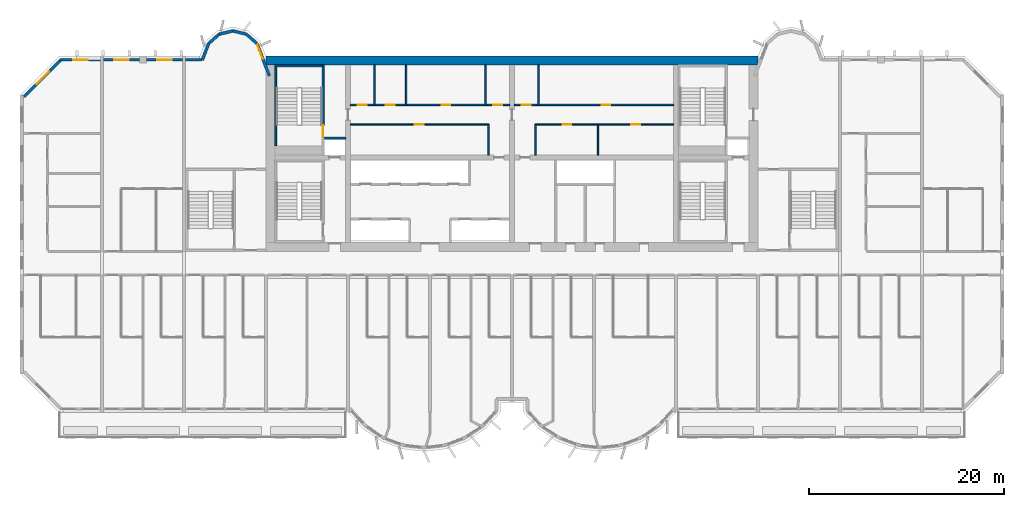
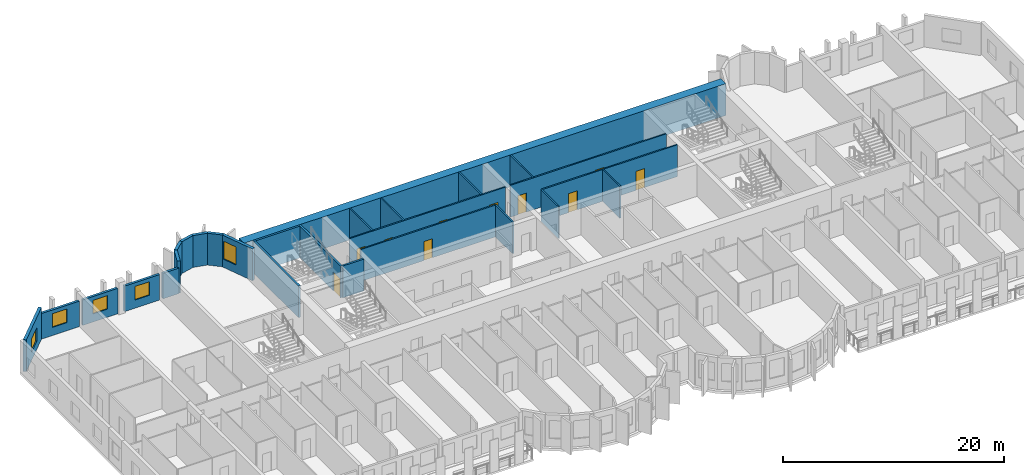
# One storey, part 7 of 14: 27 walls, 10 doors, 5 windows, 15 openings.
"""IFC4 building model written with IfcOpenShell, lengths in metres."""

from ifc_helpers import new_model, si_unit, direction, frame, frame_2d, origin, place, context, subcontext, project, spatial, rectangle, extrude, source, transform, mapped, material, layer, layer_set, type_object, element, fill, save


model = new_model("IFC4")

# Units and contexts
model_context = context("Model", 3, precision=1e-05, world=origin(), true_north=direction((0.0, 1.0)))
body_context = subcontext(model_context, "Body", "Model", "MODEL_VIEW")
ifc_project = project(units=[si_unit("LENGTHUNIT", "METRE"), si_unit("AREAUNIT", "SQUARE_METRE"), si_unit("VOLUMEUNIT", "CUBIC_METRE"), si_unit("PLANEANGLEUNIT", "RADIAN"), si_unit("MASSUNIT", "GRAM", prefix="KILO")], contexts=[model_context])

# Site, building, storey
site_placement = place(None, origin())
site = spatial("IfcSite", under=ifc_project, at=site_placement, CompositionType="ELEMENT")
building_placement = place(site_placement, origin())
building = spatial("IfcBuilding", under=site, at=building_placement, Name="Vanashikhar Sky Hotel", CompositionType="ELEMENT")
storey_placement = place(building_placement, frame((0.0, 0.0, 129.39990234375)))
storey = spatial("IfcBuildingStorey", under=building, at=storey_placement, Name="L31", CompositionType="ELEMENT", Elevation=129.39990234375)

# Wall
ifc_material_1 = material(Name="Concrete M70", Category="concrete")
ifc_layer_1 = layer(ifc_material_1, 0.89990234375)
ifc_layer_set_1 = layer_set([ifc_layer_1], Name="RC core shell wall 900 Concrete M70")
wall_type_1 = type_object("IfcWallType", Name="RC core shell wall 900 Concrete M70", PredefinedType="SHEAR", material=ifc_layer_set_1)
shared_shape_1 = source(origin(), body_context, "Body", "SweptSolid", [
    extrude(rectangle(XDim=50.400146484375, YDim=0.89990234375, at=frame_2d((25.2001953125, 0.0))), origin(), (0.0, 0.0, 1.0), 3.52001953125),
])
wall_1_placement = place(storey_placement, frame((25.199951171875, 41.550048828125, 0.0), z_axis=(0.0, 0.0, 1.0), x_axis=(1.0, 0.0, 0.0)))
element("IfcWall", 1, at=wall_1_placement, inside=storey, type_object=wall_type_1, Name="KW-L31-KN", PredefinedType="SHEAR", context=body_context, shape_type="MappedRepresentation", body=[
    mapped(shared_shape_1, transform((0.0, 0.0, 0.0), scale=1.0)),
])

# Wall, opening, window
ifc_material_2 = material(Name="Concrete M50", Category="concrete")
ifc_layer_2 = layer(ifc_material_2, 0.300048828125)
ifc_layer_set_2 = layer_set([ifc_layer_2], Name="Lobe wall 300")
wall_type_2 = type_object("IfcWallType", Name="Lobe wall 300", PredefinedType="SOLIDWALL", material=ifc_layer_set_2)
shared_shape_2 = source(origin(), body_context, "Body", "SweptSolid", [
    extrude(rectangle(XDim=5.32568359375, YDim=0.300048828125, at=frame_2d((2.662841796875, 0.0))), origin(), (0.0, 0.0, 1.0), 3.52001953125),
])
wall_2_placement = place(storey_placement, frame((4.165771484375, 41.60009765625, 0.0), z_axis=(0.0, 0.0, 1.0), x_axis=(-0.707106781187, -0.707106781187, 0.0)))
wall_2 = element("IfcWall", 2, at=wall_2_placement, inside=storey, type_object=wall_type_2, Name="Corner wall", PredefinedType="SOLIDWALL", context=body_context, shape_type="MappedRepresentation", body=[
    mapped(shared_shape_2, transform((0.0, 0.0, 0.0), scale=1.0)),
])
shared_shape_3 = source(origin(), body_context, "Body", "SweptSolid", [
    extrude(rectangle(XDim=1.800048828125, YDim=1.5, at=frame_2d((0.89990234375, 0.75))), frame((0.0, 0.16015625, 0.0), z_axis=(0.0, -1.0, 0.0), x_axis=(1.0, 0.0, 0.0)), (0.0, 0.0, 1.0), 0.320068359375),
])
opening_1_placement = place(wall_2_placement, frame((1.671875, 0.0, 0.89990234375)))
opening_1 = element("IfcOpeningElement", 3, at=opening_1_placement, cuts=wall_2, Name="Opening WN-4", PredefinedType="OPENING", context=body_context, shape_type="MappedRepresentation", body=[
    mapped(shared_shape_3, transform((0.0, 0.0, 0.0), scale=1.0)),
])
ifc_material_3 = material(Name="Glass", Category="glass")
window_type_1 = type_object("IfcWindowType", Name="Corner window 1800 x 1500", PartitioningType="SINGLE_PANEL", PredefinedType="WINDOW", material=ifc_material_3)
shared_shape_4 = source(origin(), body_context, "Body", "SweptSolid", [
    extrude(rectangle(XDim=1.800048828125, YDim=1.5, at=frame_2d((0.89990234375, 0.75))), frame((0.0, 0.030029296875, 0.0), z_axis=(0.0, -1.0, 0.0), x_axis=(1.0, 0.0, 0.0)), (0.0, 0.0, 1.0), 0.06005859375),
])
window_1_placement = place(opening_1_placement, origin())
window_1 = element("IfcWindow", 4, at=window_1_placement, inside=storey, type_object=window_type_1, Name="Window WN-4", OverallHeight=1.5, OverallWidth=1.800048828125, PartitioningType="SINGLE_PANEL", PredefinedType="WINDOW", context=body_context, shape_type="MappedRepresentation", body=[
    mapped(shared_shape_4, transform((0.0, 0.0, 0.0), scale=1.0)),
])
fill(opening_1, window_1)

shared_shape_5 = source(origin(), body_context, "Body", "SweptSolid", [
    extrude(rectangle(XDim=3.55908203125, YDim=0.300048828125, at=frame_2d((1.779541015625, 0.0))), origin(), (0.0, 0.0, 1.0), 3.52001953125),
])
wall_3_placement = place(storey_placement, frame((25.550048828125, 39.968505859375, 0.0), z_axis=(0.0, 0.0, 1.0), x_axis=(-0.35779745313, 0.933799219604, 0.0)))
wall_3 = element("IfcWall", 5, at=wall_3_placement, inside=storey, type_object=wall_type_2, Name="Lobe wall", PredefinedType="SOLIDWALL", context=body_context, shape_type="MappedRepresentation", body=[
    mapped(shared_shape_5, transform((0.0, 0.0, 0.0), scale=1.0)),
])
shared_shape_6 = source(origin(), body_context, "Body", "SweptSolid", [
    extrude(rectangle(XDim=1.5, YDim=2.0, at=frame_2d((0.75, 1.0))), frame((0.0, 0.16015625, 0.0), z_axis=(0.0, -1.0, 0.0), x_axis=(1.0, 0.0, 0.0)), (0.0, 0.0, 1.0), 0.320068359375),
])
opening_2_placement = place(wall_3_placement, frame((1.9033203125, 0.0, 0.89990234375)))
opening_2 = element("IfcOpeningElement", 6, at=opening_2_placement, cuts=wall_3, Name="Opening WN-2", PredefinedType="OPENING", context=body_context, shape_type="MappedRepresentation", body=[
    mapped(shared_shape_6, transform((0.0, 0.0, 0.0), scale=1.0)),
])
window_type_2 = type_object("IfcWindowType", Name="Lobe window 1500 x 2000", PartitioningType="SINGLE_PANEL", PredefinedType="WINDOW", material=ifc_material_3)
shared_shape_7 = source(origin(), body_context, "Body", "SweptSolid", [
    extrude(rectangle(XDim=1.5, YDim=2.0, at=frame_2d((0.75, 1.0))), frame((0.0, 0.030029296875, 0.0), z_axis=(0.0, -1.0, 0.0), x_axis=(1.0, 0.0, 0.0)), (0.0, 0.0, 1.0), 0.06005859375),
])
window_2_placement = place(opening_2_placement, origin())
window_2 = element("IfcWindow", 7, at=window_2_placement, inside=storey, type_object=window_type_2, Name="Window WN-2", OverallHeight=2.0, OverallWidth=1.5, PartitioningType="SINGLE_PANEL", PredefinedType="WINDOW", context=body_context, shape_type="MappedRepresentation", body=[
    mapped(shared_shape_7, transform((0.0, 0.0, 0.0), scale=1.0)),
])
fill(opening_2, window_2)

# Walls
shared_shape_8 = source(origin(), body_context, "Body", "SweptSolid", [
    extrude(rectangle(XDim=1.440185546875, YDim=0.300048828125, at=frame_2d((0.72021484375, 0.0))), origin(), (0.0, 0.0, 1.0), 3.52001953125),
])
wall_4_placement = place(storey_placement, frame((24.276611328125, 43.2919921875, 0.0), z_axis=(0.0, 0.0, 1.0), x_axis=(-0.749649827867, 0.661834673902, 0.0)))
element("IfcWall", 8, at=wall_4_placement, inside=storey, type_object=wall_type_2, Name="Lobe wall", PredefinedType="SOLIDWALL", context=body_context, shape_type="MappedRepresentation", body=[
    mapped(shared_shape_8, transform((0.0, 0.0, 0.0), scale=1.0)),
])
shared_shape_9 = source(origin(), body_context, "Body", "SweptSolid", [
    extrude(rectangle(XDim=1.4384765625, YDim=0.300048828125, at=frame_2d((0.71923828125, 0.0))), origin(), (0.0, 0.0, 1.0), 3.52001953125),
])
wall_5_placement = place(storey_placement, frame((23.197021484375, 44.2451171875, 0.0), z_axis=(0.0, 0.0, 1.0), x_axis=(-0.971152283879, 0.238460146601, 0.0)))
element("IfcWall", 9, at=wall_5_placement, inside=storey, type_object=wall_type_2, Name="Lobe wall", PredefinedType="SOLIDWALL", context=body_context, shape_type="MappedRepresentation", body=[
    mapped(shared_shape_9, transform((0.0, 0.0, 0.0), scale=1.0)),
])
shared_shape_10 = source(origin(), body_context, "Body", "SweptSolid", [
    extrude(rectangle(XDim=1.438720703125, YDim=0.300048828125, at=frame_2d((0.71923828125, 0.0))), origin(), (0.0, 0.0, 1.0), 3.52001953125),
])
wall_6_placement = place(storey_placement, frame((21.800048828125, 44.588134765625, 0.0), z_axis=(0.0, 0.0, 1.0), x_axis=(-0.971161932466, -0.238420848351, 0.0)))
element("IfcWall", 10, at=wall_6_placement, inside=storey, type_object=wall_type_2, Name="Lobe wall", PredefinedType="SOLIDWALL", context=body_context, shape_type="MappedRepresentation", body=[
    mapped(shared_shape_10, transform((0.0, 0.0, 0.0), scale=1.0)),
])
shared_shape_11 = source(origin(), body_context, "Body", "SweptSolid", [
    extrude(rectangle(XDim=1.43994140625, YDim=0.300048828125, at=frame_2d((0.719970703125, 0.0))), origin(), (0.0, 0.0, 1.0), 3.52001953125),
])
wall_7_placement = place(storey_placement, frame((20.40283203125, 44.2451171875, 0.0), z_axis=(0.0, 0.0, 1.0), x_axis=(-0.74957555648, -0.661918790432, 0.0)))
element("IfcWall", 11, at=wall_7_placement, inside=storey, type_object=wall_type_2, Name="Lobe wall", PredefinedType="SOLIDWALL", context=body_context, shape_type="MappedRepresentation", body=[
    mapped(shared_shape_11, transform((0.0, 0.0, 0.0), scale=1.0)),
])
shared_shape_12 = source(origin(), body_context, "Body", "SweptSolid", [
    extrude(rectangle(XDim=1.81201171875, YDim=0.300048828125, at=frame_2d((0.906005859375, 0.0))), origin(), (0.0, 0.0, 1.0), 3.52001953125),
])
wall_8_placement = place(storey_placement, frame((19.323486328125, 43.2919921875, 0.0), z_axis=(0.0, 0.0, 1.0), x_axis=(-0.357877270961, -0.93376863244, 0.0)))
element("IfcWall", 12, at=wall_8_placement, inside=storey, type_object=wall_type_2, Name="Lobe wall", PredefinedType="SOLIDWALL", context=body_context, shape_type="MappedRepresentation", body=[
    mapped(shared_shape_12, transform((0.0, 0.0, 0.0), scale=1.0)),
])

# Wall, opening, window
ifc_layer_3 = layer(ifc_material_2, 0.25)
ifc_layer_set_3 = layer_set([ifc_layer_3], Name="Rear and end board-marked wall 250")
wall_type_3 = type_object("IfcWallType", Name="Rear and end board-marked wall 250", PredefinedType="SOLIDWALL", material=ifc_layer_set_3)
shared_shape_13 = source(origin(), body_context, "Body", "SweptSolid", [
    extrude(rectangle(XDim=4.06982421875, YDim=0.25, at=frame_2d((2.034912109375, 0.0))), origin(), (0.0, 0.0, 1.0), 2.820068359375),
])
wall_9_placement = place(storey_placement, frame((8.22509765625, 41.625, 0.0), z_axis=(0.0, 0.0, 1.0), x_axis=(-1.0, 0.0, 0.0)))
wall_9 = element("IfcWall", 13, at=wall_9_placement, inside=storey, type_object=wall_type_3, Name="Rear board-marked wall", PredefinedType="SOLIDWALL", context=body_context, shape_type="MappedRepresentation", body=[
    mapped(shared_shape_13, transform((0.0, 0.0, 0.0), scale=1.0)),
])
shared_shape_14 = source(origin(), body_context, "Body", "SweptSolid", [
    extrude(rectangle(XDim=1.5, YDim=1.5, at=frame_2d((0.75, 0.75))), frame((0.0, 0.135009765625, 0.0), z_axis=(0.0, -1.0, 0.0), x_axis=(1.0, 0.0, 0.0)), (0.0, 0.0, 1.0), 0.27001953125),
])
opening_3_placement = place(wall_9_placement, frame((1.284912109375, 0.0, 0.89990234375)))
opening_3 = element("IfcOpeningElement", 14, at=opening_3_placement, cuts=wall_9, Name="Opening WN-1", PredefinedType="OPENING", context=body_context, shape_type="MappedRepresentation", body=[
    mapped(shared_shape_14, transform((0.0, 0.0, 0.0), scale=1.0)),
])
window_type_3 = type_object("IfcWindowType", Name="Window 1500 x 1500", PartitioningType="SINGLE_PANEL", PredefinedType="WINDOW", material=ifc_material_3)
shared_shape_15 = source(origin(), body_context, "Body", "SweptSolid", [
    extrude(rectangle(XDim=1.5, YDim=1.5, at=frame_2d((0.75, 0.75))), frame((0.0, 0.030029296875, 0.0), z_axis=(0.0, -1.0, 0.0), x_axis=(1.0, 0.0, 0.0)), (0.0, 0.0, 1.0), 0.06005859375),
])
window_3_placement = place(opening_3_placement, origin())
window_3 = element("IfcWindow", 15, at=window_3_placement, inside=storey, type_object=window_type_3, Name="Window WN-1", OverallHeight=1.5, OverallWidth=1.5, PartitioningType="SINGLE_PANEL", PredefinedType="WINDOW", context=body_context, shape_type="MappedRepresentation", body=[
    mapped(shared_shape_15, transform((0.0, 0.0, 0.0), scale=1.0)),
])
fill(opening_3, window_3)

shared_shape_16 = source(origin(), body_context, "Body", "SweptSolid", [
    extrude(rectangle(XDim=3.675048828125, YDim=0.25, at=frame_2d((1.83740234375, 0.0))), origin(), (0.0, 0.0, 1.0), 2.820068359375),
])
wall_10_placement = place(storey_placement, frame((12.25, 41.625, 0.0), z_axis=(0.0, 0.0, 1.0), x_axis=(-1.0, 0.0, 0.0)))
wall_10 = element("IfcWall", 16, at=wall_10_placement, inside=storey, type_object=wall_type_3, Name="Rear board-marked wall", PredefinedType="SOLIDWALL", context=body_context, shape_type="MappedRepresentation", body=[
    mapped(shared_shape_16, transform((0.0, 0.0, 0.0), scale=1.0)),
])
opening_4_placement = place(wall_10_placement, frame((1.08740234375, 0.0, 0.89990234375)))
opening_4 = element("IfcOpeningElement", 17, at=opening_4_placement, cuts=wall_10, Name="Opening WN-1", PredefinedType="OPENING", context=body_context, shape_type="MappedRepresentation", body=[
    mapped(shared_shape_14, transform((0.0, 0.0, 0.0), scale=1.0)),
])
window_4_placement = place(opening_4_placement, origin())
window_4 = element("IfcWindow", 18, at=window_4_placement, inside=storey, type_object=window_type_3, Name="Window WN-1", OverallHeight=1.5, OverallWidth=1.5, PartitioningType="SINGLE_PANEL", PredefinedType="WINDOW", context=body_context, shape_type="MappedRepresentation", body=[
    mapped(shared_shape_15, transform((0.0, 0.0, 0.0), scale=1.0)),
])
fill(opening_4, window_4)

wall_11_placement = place(storey_placement, frame((16.625, 41.625, 0.0), z_axis=(0.0, 0.0, 1.0), x_axis=(-1.0, 0.0, 0.0)))
wall_11 = element("IfcWall", 19, at=wall_11_placement, inside=storey, type_object=wall_type_3, Name="Rear board-marked wall", PredefinedType="SOLIDWALL", context=body_context, shape_type="MappedRepresentation", body=[
    mapped(shared_shape_16, transform((0.0, 0.0, 0.0), scale=1.0)),
])
opening_5_placement = place(wall_11_placement, frame((1.08740234375, 0.0, 0.89990234375)))
opening_5 = element("IfcOpeningElement", 20, at=opening_5_placement, cuts=wall_11, Name="Opening WN-1", PredefinedType="OPENING", context=body_context, shape_type="MappedRepresentation", body=[
    mapped(shared_shape_14, transform((0.0, 0.0, 0.0), scale=1.0)),
])
window_5_placement = place(opening_5_placement, origin())
window_5 = element("IfcWindow", 21, at=window_5_placement, inside=storey, type_object=window_type_3, Name="Window WN-1", OverallHeight=1.5, OverallWidth=1.5, PartitioningType="SINGLE_PANEL", PredefinedType="WINDOW", context=body_context, shape_type="MappedRepresentation", body=[
    mapped(shared_shape_15, transform((0.0, 0.0, 0.0), scale=1.0)),
])
fill(opening_5, window_5)

# Walls
shared_shape_17 = source(origin(), body_context, "Body", "SweptSolid", [
    extrude(rectangle(XDim=1.682861328125, YDim=0.25, at=frame_2d((0.84130859375, 0.0))), origin(), (0.0, 0.0, 1.0), 2.820068359375),
])
wall_12_placement = place(storey_placement, frame((18.657958984375, 41.625, 0.0), z_axis=(0.0, 0.0, 1.0), x_axis=(-1.0, 0.0, 0.0)))
element("IfcWall", 22, at=wall_12_placement, inside=storey, type_object=wall_type_3, Name="Rear board-marked wall", PredefinedType="SOLIDWALL", context=body_context, shape_type="MappedRepresentation", body=[
    mapped(shared_shape_17, transform((0.0, 0.0, 0.0), scale=1.0)),
])
ifc_material_4 = material(Name="Gypsum board partition")
ifc_layer_4 = layer(ifc_material_4, 0.14990234375)
ifc_layer_set_4 = layer_set([ifc_layer_4], Name="Service partition 150")
wall_type_4 = type_object("IfcWallType", Name="Service partition 150", PredefinedType="PARTITIONING", material=ifc_layer_set_4)
shared_shape_18 = source(origin(), body_context, "Body", "SweptSolid", [
    extrude(rectangle(XDim=3.14990234375, YDim=0.14990234375, at=frame_2d((1.574951171875, 0.0))), origin(), (0.0, 0.0, 1.0), 3.52001953125),
])
for number, where, z_axis, x_axis, name in (
    (23, (48.0, 31.85009765625, 0.0), (0.0, 0.0, 1.0), (0.0, 1.0, 0.0), "Service partition 150"),
    (24, (52.800048828125, 31.85009765625, 0.0), (0.0, 0.0, 1.0), (0.0, 1.0, 0.0), "Service partition 150"),
    (25, (59.208984375, 31.85009765625, 0.0), (0.0, 0.0, 1.0), (0.0, 1.0, 0.0), "Service partition 150"),
):
    element("IfcWall", number, at=place(storey_placement, frame(where, z_axis=z_axis, x_axis=x_axis)), inside=storey, type_object=wall_type_4, Name=name, PredefinedType="PARTITIONING", context=body_context, shape_type="MappedRepresentation", body=[
        mapped(shared_shape_18, transform((0.0, 0.0, 0.0), scale=1.0)),
    ])

# Wall, opening, door
shared_shape_19 = source(origin(), body_context, "Body", "SweptSolid", [
    extrude(rectangle(XDim=14.14990234375, YDim=0.14990234375, at=frame_2d((7.074951171875, 0.0))), origin(), (0.0, 0.0, 1.0), 3.52001953125),
])
wall_13_placement = place(storey_placement, frame((33.85009765625, 35.0, 0.0), z_axis=(0.0, 0.0, 1.0), x_axis=(1.0, 0.0, 0.0)))
wall_13 = element("IfcWall", 26, at=wall_13_placement, inside=storey, type_object=wall_type_4, Name="Service partition 150", PredefinedType="PARTITIONING", context=body_context, shape_type="MappedRepresentation", body=[
    mapped(shared_shape_19, transform((0.0, 0.0, 0.0), scale=1.0)),
])
shared_shape_20 = source(origin(), body_context, "Body", "SweptSolid", [
    extrude(rectangle(XDim=0.89990234375, YDim=2.10009765625, at=frame_2d((0.449951171875, 1.050048828125))), frame((0.0, 0.0849609375, 0.0), z_axis=(0.0, -1.0, 0.0), x_axis=(1.0, 0.0, 0.0)), (0.0, 0.0, 1.0), 0.169921875),
])
opening_6_placement = place(wall_13_placement, frame((6.587890625, 0.0, 0.0)))
opening_6 = element("IfcOpeningElement", 27, at=opening_6_placement, cuts=wall_13, Name="Opening DC-4-A", PredefinedType="OPENING", context=body_context, shape_type="MappedRepresentation", body=[
    mapped(shared_shape_20, transform((0.0, 0.0, 0.0), scale=1.0)),
])
ifc_material_5 = material(Name="Steel", Category="steel")
door_type_1 = type_object("IfcDoorType", Name="Service door 900 FD60", OperationType="NOTDEFINED", PredefinedType="DOOR", material=ifc_material_5)
shared_shape_21 = source(origin(), body_context, "Body", "SweptSolid", [
    extrude(rectangle(XDim=0.89990234375, YDim=2.10009765625, at=frame_2d((0.449951171875, 1.050048828125))), frame((0.0, 0.02490234375, 0.0), z_axis=(0.0, -1.0, 0.0), x_axis=(1.0, 0.0, 0.0)), (0.0, 0.0, 1.0), 0.050048828125),
])
door_1_placement = place(opening_6_placement, origin())
door_1 = element("IfcDoor", 28, at=door_1_placement, inside=storey, type_object=door_type_1, Name="Service door 900 FD60", OperationType="SINGLE_SWING_RIGHT", OverallHeight=2.10009765625, OverallWidth=0.89990234375, PredefinedType="DOOR", context=body_context, shape_type="MappedRepresentation", body=[
    mapped(shared_shape_21, transform((0.0, 0.0, 0.0), scale=1.0)),
])
fill(opening_6, door_1)

# Wall, openings, doors
wall_14_placement = place(storey_placement, frame((66.949951171875, 35.0, 0.0), z_axis=(0.0, 0.0, 1.0), x_axis=(-1.0, 0.0, 0.0)))
wall_14 = element("IfcWall", 29, at=wall_14_placement, inside=storey, type_object=wall_type_4, Name="Service partition 150", PredefinedType="PARTITIONING", context=body_context, shape_type="MappedRepresentation", body=[
    mapped(shared_shape_19, transform((0.0, 0.0, 0.0), scale=1.0)),
])
opening_7_placement = place(wall_14_placement, frame((3.4208984375, 0.0, 0.0)))
opening_7 = element("IfcOpeningElement", 30, at=opening_7_placement, cuts=wall_14, Name="Opening DC-4-A", PredefinedType="OPENING", context=body_context, shape_type="MappedRepresentation", body=[
    mapped(shared_shape_20, transform((0.0, 0.0, 0.0), scale=1.0)),
])
opening_8_placement = place(wall_14_placement, frame((10.4580078125, 0.0, 0.0)))
opening_8 = element("IfcOpeningElement", 31, at=opening_8_placement, cuts=wall_14, Name="Opening DC-4-A", PredefinedType="OPENING", context=body_context, shape_type="MappedRepresentation", body=[
    mapped(shared_shape_20, transform((0.0, 0.0, 0.0), scale=1.0)),
])
door_2_placement = place(opening_7_placement, origin())
door_2 = element("IfcDoor", 32, at=door_2_placement, inside=storey, type_object=door_type_1, Name="Service door 900 FD60", OperationType="SINGLE_SWING_RIGHT", OverallHeight=2.10009765625, OverallWidth=0.89990234375, PredefinedType="DOOR", context=body_context, shape_type="MappedRepresentation", body=[
    mapped(shared_shape_21, transform((0.0, 0.0, 0.0), scale=1.0)),
])
fill(opening_7, door_2)
door_3_placement = place(opening_8_placement, origin())
door_3 = element("IfcDoor", 33, at=door_3_placement, inside=storey, type_object=door_type_1, Name="Service door 900 FD60", OperationType="SINGLE_SWING_RIGHT", OverallHeight=2.10009765625, OverallWidth=0.89990234375, PredefinedType="DOOR", context=body_context, shape_type="MappedRepresentation", body=[
    mapped(shared_shape_21, transform((0.0, 0.0, 0.0), scale=1.0)),
])
fill(opening_8, door_3)

shared_shape_22 = source(origin(), body_context, "Body", "SweptSolid", [
    extrude(rectangle(XDim=16.2998046875, YDim=0.14990234375, at=frame_2d((8.14990234375, 0.0))), origin(), (0.0, 0.0, 1.0), 3.52001953125),
])
wall_15_placement = place(storey_placement, frame((33.85009765625, 37.0, 0.0), z_axis=(0.0, 0.0, 1.0), x_axis=(1.0, 0.0, 0.0)))
wall_15 = element("IfcWall", 34, at=wall_15_placement, inside=storey, type_object=wall_type_4, Name="Service partition 150", PredefinedType="PARTITIONING", context=body_context, shape_type="MappedRepresentation", body=[
    mapped(shared_shape_22, transform((0.0, 0.0, 0.0), scale=1.0)),
])
opening_9_placement = place(wall_15_placement, frame((0.77294921875, 0.0, 0.0)))
opening_9 = element("IfcOpeningElement", 35, at=opening_9_placement, cuts=wall_15, Name="Opening DC-4-A", PredefinedType="OPENING", context=body_context, shape_type="MappedRepresentation", body=[
    mapped(shared_shape_20, transform((0.0, 0.0, 0.0), scale=1.0)),
])
opening_10_placement = place(wall_15_placement, frame((3.625, 0.0, 0.0)))
opening_10 = element("IfcOpeningElement", 36, at=opening_10_placement, cuts=wall_15, Name="Opening DC-4-A", PredefinedType="OPENING", context=body_context, shape_type="MappedRepresentation", body=[
    mapped(shared_shape_20, transform((0.0, 0.0, 0.0), scale=1.0)),
])
opening_11_placement = place(wall_15_placement, frame((9.330078125, 0.0, 0.0)))
opening_11 = element("IfcOpeningElement", 37, at=opening_11_placement, cuts=wall_15, Name="Opening DC-4-A", PredefinedType="OPENING", context=body_context, shape_type="MappedRepresentation", body=[
    mapped(shared_shape_20, transform((0.0, 0.0, 0.0), scale=1.0)),
])
opening_12_placement = place(wall_15_placement, frame((14.626953125, 0.0, 0.0)))
opening_12 = element("IfcOpeningElement", 38, at=opening_12_placement, cuts=wall_15, Name="Opening DC-4-A", PredefinedType="OPENING", context=body_context, shape_type="MappedRepresentation", body=[
    mapped(shared_shape_20, transform((0.0, 0.0, 0.0), scale=1.0)),
])
door_4_placement = place(opening_9_placement, origin())
door_4 = element("IfcDoor", 39, at=door_4_placement, inside=storey, type_object=door_type_1, Name="Service door 900 FD60", OperationType="SINGLE_SWING_LEFT", OverallHeight=2.10009765625, OverallWidth=0.89990234375, PredefinedType="DOOR", context=body_context, shape_type="MappedRepresentation", body=[
    mapped(shared_shape_21, transform((0.0, 0.0, 0.0), scale=1.0)),
])
fill(opening_9, door_4)
door_5_placement = place(opening_10_placement, origin())
door_5 = element("IfcDoor", 40, at=door_5_placement, inside=storey, type_object=door_type_1, Name="Service door 900 FD60", OperationType="SINGLE_SWING_RIGHT", OverallHeight=2.10009765625, OverallWidth=0.89990234375, PredefinedType="DOOR", context=body_context, shape_type="MappedRepresentation", body=[
    mapped(shared_shape_21, transform((0.0, 0.0, 0.0), scale=1.0)),
])
fill(opening_10, door_5)
door_6_placement = place(opening_11_placement, origin())
door_6 = element("IfcDoor", 41, at=door_6_placement, inside=storey, type_object=door_type_1, Name="Service door 900 FD60", OperationType="SINGLE_SWING_RIGHT", OverallHeight=2.10009765625, OverallWidth=0.89990234375, PredefinedType="DOOR", context=body_context, shape_type="MappedRepresentation", body=[
    mapped(shared_shape_21, transform((0.0, 0.0, 0.0), scale=1.0)),
])
fill(opening_11, door_6)
door_7_placement = place(opening_12_placement, origin())
door_7 = element("IfcDoor", 42, at=door_7_placement, inside=storey, type_object=door_type_1, Name="Service door 900 FD60", OperationType="SINGLE_SWING_RIGHT", OverallHeight=2.10009765625, OverallWidth=0.89990234375, PredefinedType="DOOR", context=body_context, shape_type="MappedRepresentation", body=[
    mapped(shared_shape_21, transform((0.0, 0.0, 0.0), scale=1.0)),
])
fill(opening_12, door_7)

# Walls
shared_shape_23 = source(origin(), body_context, "Body", "SweptSolid", [
    extrude(rectangle(XDim=4.10009765625, YDim=0.14990234375, at=frame_2d((2.050048828125, 0.0))), origin(), (0.0, 0.0, 1.0), 3.52001953125),
])
for number, where, z_axis, x_axis, name in (
    (43, (36.294921875, 37.0, 0.0), (0.0, 0.0, 1.0), (0.0, 1.0, 0.0), "Service partition 150"),
    (44, (39.554931640625, 37.0, 0.0), (0.0, 0.0, 1.0), (0.0, 1.0, 0.0), "Service partition 150"),
    (45, (47.705078125, 37.0, 0.0), (0.0, 0.0, 1.0), (0.0, 1.0, 0.0), "Service partition 150"),
    (46, (53.094970703125, 37.0, 0.0), (0.0, 0.0, 1.0), (0.0, 1.0, 0.0), "Service partition 150"),
):
    element("IfcWall", number, at=place(storey_placement, frame(where, z_axis=z_axis, x_axis=x_axis)), inside=storey, type_object=wall_type_4, Name=name, PredefinedType="PARTITIONING", context=body_context, shape_type="MappedRepresentation", body=[
        mapped(shared_shape_23, transform((0.0, 0.0, 0.0), scale=1.0)),
    ])

# Wall, openings, doors
shared_shape_24 = source(origin(), body_context, "Body", "SweptSolid", [
    extrude(rectangle(XDim=16.300048828125, YDim=0.14990234375, at=frame_2d((8.14990234375, 0.0))), origin(), (0.0, 0.0, 1.0), 3.52001953125),
])
wall_16_placement = place(storey_placement, frame((66.949951171875, 37.0, 0.0), z_axis=(0.0, 0.0, 1.0), x_axis=(-1.0, 0.0, 0.0)))
wall_16 = element("IfcWall", 47, at=wall_16_placement, inside=storey, type_object=wall_type_4, Name="Service partition 150", PredefinedType="PARTITIONING", context=body_context, shape_type="MappedRepresentation", body=[
    mapped(shared_shape_24, transform((0.0, 0.0, 0.0), scale=1.0)),
])
opening_13_placement = place(wall_16_placement, frame((6.47802734375, 0.0, 0.0)))
opening_13 = element("IfcOpeningElement", 48, at=opening_13_placement, cuts=wall_16, Name="Opening DC-4-A", PredefinedType="OPENING", context=body_context, shape_type="MappedRepresentation", body=[
    mapped(shared_shape_20, transform((0.0, 0.0, 0.0), scale=1.0)),
])
opening_14_placement = place(wall_16_placement, frame((14.626953125, 0.0, 0.0)))
opening_14 = element("IfcOpeningElement", 49, at=opening_14_placement, cuts=wall_16, Name="Opening DC-4-A", PredefinedType="OPENING", context=body_context, shape_type="MappedRepresentation", body=[
    mapped(shared_shape_20, transform((0.0, 0.0, 0.0), scale=1.0)),
])
door_8_placement = place(opening_13_placement, origin())
door_8 = element("IfcDoor", 50, at=door_8_placement, inside=storey, type_object=door_type_1, Name="Service door 900 FD60", OperationType="SINGLE_SWING_LEFT", OverallHeight=2.10009765625, OverallWidth=0.89990234375, PredefinedType="DOOR", context=body_context, shape_type="MappedRepresentation", body=[
    mapped(shared_shape_21, transform((0.0, 0.0, 0.0), scale=1.0)),
])
fill(opening_13, door_8)
door_9_placement = place(opening_14_placement, origin())
door_9 = element("IfcDoor", 51, at=door_9_placement, inside=storey, type_object=door_type_1, Name="Service door 900 FD60", OperationType="SINGLE_SWING_LEFT", OverallHeight=2.10009765625, OverallWidth=0.89990234375, PredefinedType="DOOR", context=body_context, shape_type="MappedRepresentation", body=[
    mapped(shared_shape_21, transform((0.0, 0.0, 0.0), scale=1.0)),
])
fill(opening_14, door_9)

# Wall
ifc_material_6 = material(Name="Concrete M40", Category="concrete")
ifc_layer_5 = layer(ifc_material_6, 0.199951171875)
ifc_layer_set_5 = layer_set([ifc_layer_5], Name="Shaft wall 200")
wall_type_5 = type_object("IfcWallType", Name="Shaft wall 200", PredefinedType="SOLIDWALL", material=ifc_layer_set_5)
shared_shape_25 = source(origin(), body_context, "Body", "SweptSolid", [
    extrude(rectangle(XDim=2.2001953125, YDim=0.199951171875, at=frame_2d((1.10009765625, 0.0))), origin(), (0.0, 0.0, 1.0), 3.52001953125),
])
wall_17_placement = place(storey_placement, frame((31.14990234375, 33.60009765625, 0.0), z_axis=(0.0, 0.0, 1.0), x_axis=(1.0, 0.0, 0.0)))
element("IfcWall", 52, at=wall_17_placement, inside=storey, type_object=wall_type_5, Name="Shaft wall 200", PredefinedType="SOLIDWALL", context=body_context, shape_type="MappedRepresentation", body=[
    mapped(shared_shape_25, transform((0.0, 0.0, 0.0), scale=1.0)),
])

# Wall, opening, door
ifc_layer_6 = layer(ifc_material_2, 0.199951171875)
ifc_layer_set_6 = layer_set([ifc_layer_6], Name="Stair wall 200")
wall_type_6 = type_object("IfcWallType", Name="Stair wall 200", PredefinedType="SOLIDWALL", material=ifc_layer_set_6)
shared_shape_26 = source(origin(), body_context, "Body", "SweptSolid", [
    extrude(rectangle(XDim=7.5, YDim=0.199951171875, at=frame_2d((3.75, 0.0))), origin(), (0.0, 0.0, 1.0), 3.52001953125),
])
wall_18_placement = place(storey_placement, frame((31.050048828125, 33.60009765625, 0.0), z_axis=(0.0, 0.0, 1.0), x_axis=(0.0, 1.0, 0.0)))
wall_18 = element("IfcWall", 53, at=wall_18_placement, inside=storey, type_object=wall_type_6, Name="Stair wall 200", PredefinedType="SOLIDWALL", context=body_context, shape_type="MappedRepresentation", body=[
    mapped(shared_shape_26, transform((0.0, 0.0, 0.0), scale=1.0)),
])
shared_shape_27 = source(origin(), body_context, "Body", "SweptSolid", [
    extrude(rectangle(XDim=1.199951171875, YDim=2.10009765625, at=frame_2d((0.60009765625, 1.050048828125))), frame((0.0, 0.10986328125, 0.0), z_axis=(0.0, -1.0, 0.0), x_axis=(1.0, 0.0, 0.0)), (0.0, 0.0, 1.0), 0.219970703125),
])
opening_15_placement = place(wall_18_placement, frame((0.10009765625, 0.0, 0.0)))
opening_15 = element("IfcOpeningElement", 54, at=opening_15_placement, cuts=wall_18, Name="Opening DC-1", PredefinedType="OPENING", context=body_context, shape_type="MappedRepresentation", body=[
    mapped(shared_shape_27, transform((0.0, 0.0, 0.0), scale=1.0)),
])
door_type_2 = type_object("IfcDoorType", Name="Stair door 1200 FD120", OperationType="NOTDEFINED", PredefinedType="DOOR", material=ifc_material_5)
shared_shape_28 = source(origin(), body_context, "Body", "SweptSolid", [
    extrude(rectangle(XDim=1.199951171875, YDim=2.10009765625, at=frame_2d((0.60009765625, 1.050048828125))), frame((0.0, 0.02490234375, 0.0), z_axis=(0.0, -1.0, 0.0), x_axis=(1.0, 0.0, 0.0)), (0.0, 0.0, 1.0), 0.050048828125),
])
door_10_placement = place(opening_15_placement, origin())
door_10 = element("IfcDoor", 55, at=door_10_placement, inside=storey, type_object=door_type_2, Name="Stair door 1200 FD120", OperationType="SINGLE_SWING_LEFT", OverallHeight=2.10009765625, OverallWidth=1.199951171875, PredefinedType="DOOR", context=body_context, shape_type="MappedRepresentation", body=[
    mapped(shared_shape_28, transform((0.0, 0.0, 0.0), scale=1.0)),
])
fill(opening_15, door_10)

# Walls
ifc_layer_7 = layer(ifc_material_2, 0.199951171875)
ifc_layer_set_7 = layer_set([ifc_layer_7], Name="Stair infill wall 200")
wall_type_7 = type_object("IfcWallType", Name="Stair infill wall 200", PredefinedType="SOLIDWALL", material=ifc_layer_set_7)
shared_shape_29 = source(origin(), body_context, "Body", "SweptSolid", [
    extrude(rectangle(XDim=4.849853515625, YDim=0.199951171875, at=frame_2d((2.4248046875, 0.0))), origin(), (0.0, 0.0, 1.0), 3.52001953125),
])
wall_19_placement = place(storey_placement, frame((26.10009765625, 41.0, 0.0), z_axis=(0.0, 0.0, 1.0), x_axis=(1.0, 0.0, 0.0)))
element("IfcWall", 56, at=wall_19_placement, inside=storey, type_object=wall_type_7, Name="Stair infill wall 200", PredefinedType="SOLIDWALL", context=body_context, shape_type="MappedRepresentation", body=[
    mapped(shared_shape_29, transform((0.0, 0.0, 0.0), scale=1.0)),
])
shared_shape_30 = source(origin(), body_context, "Body", "SweptSolid", [
    extrude(rectangle(XDim=8.099853515625, YDim=0.199951171875, at=frame_2d((4.0498046875, 0.0))), origin(), (0.0, 0.0, 1.0), 3.52001953125),
])
wall_20_placement = place(storey_placement, frame((26.199951171875, 32.800048828125, 0.0), z_axis=(0.0, 0.0, 1.0), x_axis=(0.0, 1.0, 0.0)))
element("IfcWall", 57, at=wall_20_placement, inside=storey, type_object=wall_type_7, Name="Stair infill wall 200", PredefinedType="SOLIDWALL", context=body_context, shape_type="MappedRepresentation", body=[
    mapped(shared_shape_30, transform((0.0, 0.0, 0.0), scale=1.0)),
])

save(model, "model.ifc")
